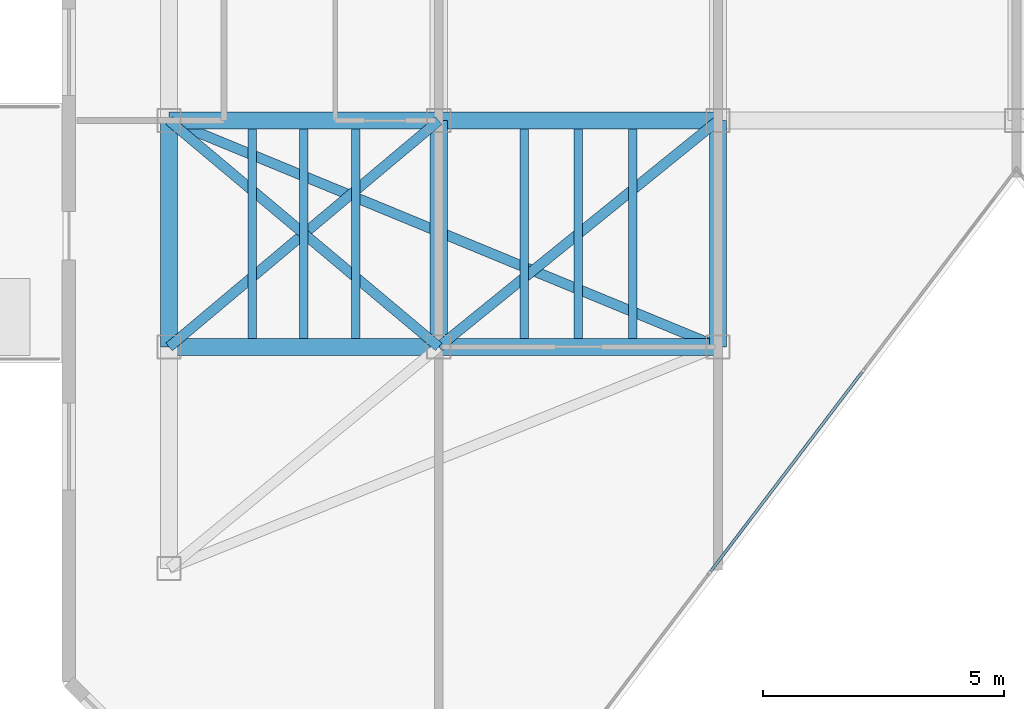
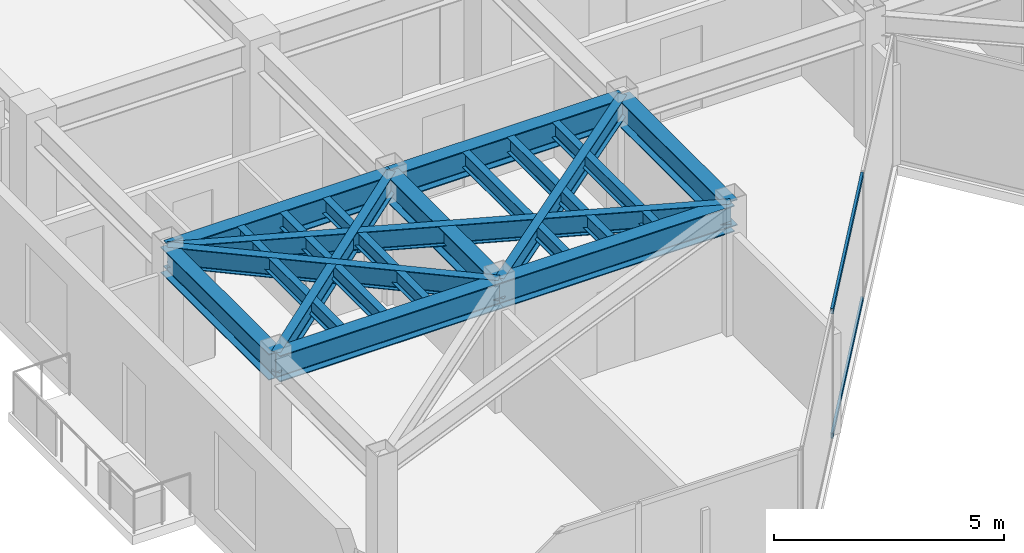
# One storey, part 5 of 17: 17 beams, 2 members, 1 element without a shape of its own.
"""IFC4 building model written with IfcOpenShell, lengths in metres."""

import ifcopenshell
import ifcopenshell.guid

model = None  # the IFC model being written
_history = None  # IfcOwnerHistory: only IFC2X3 demands one
_inside = {}  # id of a spatial element -> (the spatial element, [elements in it])
_under = {}  # id of a project, library or spatial element -> (it, [spatial elements below it])
_declared = {}  # id of a project -> (the project, [libraries it declares])
_typed = {}  # id of a type object -> (the type object, [elements of that type])
_made_of = {}  # id of a material, layer set ... -> (it, [elements and type objects made of it])


def new_model(schema):
    """Start an empty IFC model of exactly this schema.

    Asked for "IFC4X3", IfcOpenShell would pick the latest addendum, in which some entities
    have other attributes; the version numbers below select the first issue.
    IFC2X3 requires an IfcOwnerHistory on every rooted entity: one is made here for all.
    """
    global model, _history
    if schema == "IFC4X3":
        model = ifcopenshell.file(schema_version=(4, 3, 0, 0))
    else:
        model = ifcopenshell.file(schema=schema)
    _inside.clear()
    _under.clear()
    _declared.clear()
    _typed.clear()
    _made_of.clear()
    _history = None
    if model.schema == "IFC2X3":
        org = make("IfcOrganization", Name="unknown")
        user = make(
            "IfcPersonAndOrganization",
            ThePerson=make("IfcPerson", FamilyName="unknown"),
            TheOrganization=org,
        )
        app = make(
            "IfcApplication",
            ApplicationDeveloper=org,
            Version="unknown",
            ApplicationFullName="unknown",
            ApplicationIdentifier="unknown",
        )
        _history = make(
            "IfcOwnerHistory",
            OwningUser=user,
            OwningApplication=app,
            ChangeAction="ADDED",
            CreationDate=0,
        )
    return model


def make(cls, **values):
    """One entity of the class cls with the attributes given. An attribute that is None is left unset."""
    return model.create_entity(
        cls, **{name: value for name, value in values.items() if value is not None}
    )


def rooted(cls, **values):
    """An entity with a GlobalId (a new one), such as an element, a storey or a relation."""
    return make(cls, GlobalId=ifcopenshell.guid.new(), OwnerHistory=_history, **values)


def si_unit(unit_type, name, prefix=None):
    """IfcSIUnit, for example si_unit("LENGTHUNIT", "METRE", prefix="MILLI")."""
    return make("IfcSIUnit", UnitType=unit_type, Prefix=prefix, Name=name)


def assignment(units):
    """IfcUnitAssignment: the units of a project."""
    return None if units is None else make("IfcUnitAssignment", Units=units)


def point(xyz):
    """IfcCartesianPoint."""
    return None if xyz is None else make("IfcCartesianPoint", Coordinates=xyz)


def direction(xyz):
    """IfcDirection."""
    return None if xyz is None else make("IfcDirection", DirectionRatios=xyz)


def frame(location, z_axis=None, x_axis=None):
    """IfcAxis2Placement3D, a coordinate frame: its origin and axes. An axis left out is left unset."""
    return make(
        "IfcAxis2Placement3D",
        Location=point(location),
        Axis=direction(z_axis),
        RefDirection=direction(x_axis),
    )


def frame_2d(location, x_axis=None):
    """IfcAxis2Placement2D, a coordinate frame in the plane: its origin and x axis."""
    return make(
        "IfcAxis2Placement2D", Location=point(location), RefDirection=direction(x_axis)
    )


def origin():
    """The frame at (0, 0, 0) with its axes left unset."""
    return frame((0.0, 0.0, 0.0))


def origin_2d():
    """The frame at (0, 0) in the plane with its x axis left unset."""
    return frame_2d((0.0, 0.0))


def place(relative_to, where):
    """IfcLocalPlacement: puts the frame where relative to a parent placement (None: the world)."""
    return make(
        "IfcLocalPlacement", PlacementRelTo=relative_to, RelativePlacement=where
    )


def context(
    kind, dimensions, precision=None, world=None, true_north=None, identifier=None
):
    """IfcGeometricRepresentationContext, for example the 3D "Model" context."""
    return make(
        "IfcGeometricRepresentationContext",
        ContextIdentifier=identifier,
        ContextType=kind,
        CoordinateSpaceDimension=dimensions,
        Precision=precision,
        WorldCoordinateSystem=world,
        TrueNorth=true_north,
    )


def subcontext(parent, identifier, kind, view, scale=None):
    """IfcGeometricRepresentationSubContext, for example "Body" below "Model"."""
    return make(
        "IfcGeometricRepresentationSubContext",
        ContextIdentifier=identifier,
        ContextType=kind,
        ParentContext=parent,
        TargetScale=scale,
        TargetView=view,
    )


def project(units=None, contexts=None):
    """IfcProject with its units and contexts."""
    return rooted(
        "IfcProject",
        Name="project",
        RepresentationContexts=contexts,
        UnitsInContext=assignment(units),
    )


def spatial(cls, under=None, at=None, **own):
    """A site, building, storey or space (cls), placed at a placement, below another one or the project."""
    s = rooted(cls, ObjectPlacement=at, **own)
    if under is not None:
        _under.setdefault(under.id(), (under, []))[1].append(s)
    return s


def profile(cls, at=None, kind="AREA", **sizes):
    """A parametric profile (cls). Its sizes go by their IFC names, for example OverallWidth=200.0."""
    return make(cls, ProfileType=kind, Position=at, **sizes)


def hollow_rectangle(**sizes):
    """IfcRectangleHollowProfileDef."""
    return profile("IfcRectangleHollowProfileDef", **sizes)


def i_section(**sizes):
    """IfcIShapeProfileDef."""
    return profile("IfcIShapeProfileDef", **sizes)


def extrude(swept, where, along, depth):
    """IfcExtrudedAreaSolid: the profile swept, set in the frame where, extruded along a direction by depth."""
    return make(
        "IfcExtrudedAreaSolid",
        SweptArea=swept,
        Position=where,
        ExtrudedDirection=direction(along),
        Depth=depth,
    )


def shape(context_of_items, identifier, shape_type, items):
    """IfcShapeRepresentation: the items that make up one representation, for example the "Body"."""
    return make(
        "IfcShapeRepresentation",
        ContextOfItems=context_of_items,
        RepresentationIdentifier=identifier,
        RepresentationType=shape_type,
        Items=items,
    )


def material(Name=None, Category=None):
    """IfcMaterial."""
    return make("IfcMaterial", Name=Name, Category=Category)


def layer(
    of_material, thickness, ventilated=None, Name=None, Category=None, Priority=None
):
    """IfcMaterialLayer: one layer of a wall or slab, of a material (None: an air gap)."""
    return make(
        "IfcMaterialLayer",
        Material=of_material,
        LayerThickness=thickness,
        IsVentilated=ventilated,
        Name=Name,
        Category=Category,
        Priority=Priority,
    )


def layer_set(layers, Name=None):
    """IfcMaterialLayerSet."""
    return make("IfcMaterialLayerSet", MaterialLayers=layers, LayerSetName=Name)


def material_profile(
    of_material, cross_section, Name=None, Category=None, Priority=None
):
    """IfcMaterialProfile: a cross section and its material."""
    return make(
        "IfcMaterialProfile",
        Name=Name,
        Material=of_material,
        Profile=cross_section,
        Priority=Priority,
        Category=Category,
    )


def profile_set(profiles, Name=None, composite=None):
    """IfcMaterialProfileSet."""
    return make(
        "IfcMaterialProfileSet",
        Name=Name,
        MaterialProfiles=profiles,
        CompositeProfile=composite,
    )


def made_of(thing, what):
    """Note that an element or type object is made of a material, layer set ...; save() writes the relation."""
    if what is not None:
        _made_of.setdefault(what.id(), (what, []))[1].append(thing)
    return thing


def type_object(cls, material=None, **own):
    """A type object (cls), such as IfcWallType, which elements share."""
    return made_of(rooted(cls, **own), material)


def element(
    cls,
    number,
    at=None,
    inside=None,
    cuts=None,
    type_object=None,
    material=None,
    context=None,
    identifier="Body",
    shape_type=None,
    held_by="IfcProductDefinitionShape",
    body=None,
    shapes=None,
    **own,
):
    """One element of the class cls, such as IfcWall. Its Tag is "e" and its number.

    at: its placement. inside: the storey or other place that contains it. cuts: it is an
    opening in that element (IfcRelVoidsElement). A single representation is given by context,
    identifier, shape_type and body (its items); several are given by shapes. held_by: the class
    of the entity that holds the representations. save() writes the other relations.
    """
    e = rooted(cls, Tag="e%d" % number, ObjectPlacement=at, **own)
    if body is not None:
        shapes = [shape(context, identifier, shape_type, body)]
    if shapes is not None:
        e.Representation = make(held_by, Representations=shapes)
    if inside is not None:
        _inside.setdefault(inside.id(), (inside, []))[1].append(e)
    if cuts is not None:
        rooted(
            "IfcRelVoidsElement", RelatingBuildingElement=cuts, RelatedOpeningElement=e
        )
    if type_object is not None:
        _typed.setdefault(type_object.id(), (type_object, []))[1].append(e)
    return made_of(e, material)


def aggregate(whole, parts):
    """IfcRelAggregates: a whole, such as a stair, and the parts it consists of."""
    return rooted("IfcRelAggregates", RelatingObject=whole, RelatedObjects=parts)


def save(model, path):
    """Write the relations noted so far, then the file.

    IfcRelAggregates (storeys below a building ...), IfcRelContainedInSpatialStructure (elements
    in a storey), IfcRelDefinesByType, IfcRelAssociatesMaterial and IfcRelDeclares: one each for
    every whole, place, type object, material and project.
    """
    for whole, parts in _under.values():
        aggregate(whole, parts)
    for where, things in _inside.values():
        rooted(
            "IfcRelContainedInSpatialStructure",
            RelatedElements=things,
            RelatingStructure=where,
        )
    for kind, things in _typed.values():
        rooted("IfcRelDefinesByType", RelatedObjects=things, RelatingType=kind)
    for what, things in _made_of.values():
        rooted("IfcRelAssociatesMaterial", RelatedObjects=things, RelatingMaterial=what)
    for by, libraries in _declared.values():
        rooted("IfcRelDeclares", RelatingContext=by, RelatedDefinitions=libraries)
    model.write(path)


model = new_model("IFC4")

# Units and contexts
model_context = context("Model", 3, precision=1e-05, world=origin(), true_north=direction((0.0, 1.0)))
body_context = subcontext(model_context, "Body", "Model", "MODEL_VIEW")
ifc_project = project(units=[si_unit("LENGTHUNIT", "METRE"), si_unit("AREAUNIT", "SQUARE_METRE"), si_unit("VOLUMEUNIT", "CUBIC_METRE"), si_unit("PLANEANGLEUNIT", "RADIAN"), si_unit("MASSUNIT", "GRAM", prefix="KILO")], contexts=[model_context])

# Site, building, storey
site_placement = place(None, origin())
site = spatial("IfcSite", under=ifc_project, at=site_placement, CompositionType="ELEMENT")
building_placement = place(site_placement, origin())
building = spatial("IfcBuilding", under=site, at=building_placement, Name="Kravanh Interchange Tower", CompositionType="ELEMENT")
storey_placement = place(building_placement, frame((0.0, 0.0, 256.199951171875)))
storey = spatial("IfcBuildingStorey", under=building, at=storey_placement, Name="L62", CompositionType="ELEMENT", Elevation=256.199951171875)

# Curtain wall, members
ifc_material_1 = material(Name="Anodised Bronze Aluminium", Category="aluminium")
ifc_layer = layer(ifc_material_1, 0.179931640625)
ifc_layer_set = layer_set([ifc_layer], Name="Unitised Curtain Wall System CW-HTL Luxury Hotel")
curtain_wall_type = type_object("IfcCurtainWallType", Name="Unitised Curtain Wall System CW-HTL Luxury Hotel", PredefinedType="NOTDEFINED", material=ifc_layer_set)
curtain_wall_placement = place(storey_placement, origin())
curtain_wall = element("IfcCurtainWall", 1, at=curtain_wall_placement, inside=storey, type_object=curtain_wall_type, Name="L62 Unitised Curtain Wall CW-L62-04", PredefinedType="NOTDEFINED")
ifc_material_2 = material(Name="Anodised Bronze Aluminium", Category="aluminium")
ifc_material_profile_1 = material_profile(ifc_material_2, hollow_rectangle(XDim=0.06005859375, YDim=0.139892578125, WallThickness=0.00390625, at=origin_2d()), Name="ALU60X140X4")
ifc_profile_set_1 = profile_set([ifc_material_profile_1], Name="Anodised Bronze Aluminium")
member_type = type_object("IfcMemberType", Name="Curtain Wall Transom ALU60X140X4 Bronze", PredefinedType="USERDEFINED", material=ifc_profile_set_1)
member_1_placement = place(storey_placement, frame((41.595458984375, 26.28173828125, 0.030029296875), z_axis=(-0.605104668693, -0.796145928788, 0.0), x_axis=(0.796145928788, -0.605104668693, 0.0)))
member_1 = element("IfcMember", 2, at=member_1_placement, type_object=member_type, Name="CW-HTL transom 2.1", ObjectType="TRANSOM", PredefinedType="USERDEFINED", context=body_context, shape_type="SweptSolid", body=[
    extrude(hollow_rectangle(XDim=0.06005859375, YDim=0.139892578125, WallThickness=0.00390625, at=origin_2d()), origin(), (0.0, 0.0, 1.0), 5.206298828125),
])
member_2_placement = place(storey_placement, frame((41.595458984375, 26.28173828125, 3.330078125), z_axis=(-0.605104668693, -0.796145928788, 0.0), x_axis=(0.796145928788, -0.605104668693, 0.0)))
member_2 = element("IfcMember", 3, at=member_2_placement, type_object=member_type, Name="CW-HTL transom 2.2", ObjectType="TRANSOM", PredefinedType="USERDEFINED", context=body_context, shape_type="SweptSolid", body=[
    extrude(hollow_rectangle(XDim=0.06005859375, YDim=0.139892578125, WallThickness=0.00390625, at=origin_2d()), origin(), (0.0, 0.0, 1.0), 5.206298828125),
])
aggregate(curtain_wall, [member_1, member_2])

# Beams
ifc_material_3 = material(Name="Structural Steel S355", Category="steel")
ifc_material_profile_2 = material_profile(ifc_material_3, i_section(OverallWidth=0.35498046875, OverallDepth=0.696044921875, WebThickness=0.015380859375, FlangeThickness=0.02490234375, FilletRadius=0.02392578125, at=origin_2d()), Name="W27X146")
ifc_profile_set_2 = profile_set([ifc_material_profile_2], Name="Structural Steel S355")
beam_type_1 = type_object("IfcBeamType", Name="Floor Beam W27X146 Structural Steel S355", PredefinedType="BEAM", material=ifc_profile_set_2)
beam_1_placement = place(storey_placement, frame((38.60009765625, 31.5, 3.011962890625), z_axis=(0.0, -1.0, 0.0), x_axis=(1.0, 0.0, 0.0)))
element("IfcBeam", 4, at=beam_1_placement, inside=storey, type_object=beam_type_1, Name="L62 Primary Floor Girder 17", PredefinedType="BEAM", context=body_context, shape_type="SweptSolid", body=[
    extrude(i_section(OverallWidth=0.35498046875, OverallDepth=0.696044921875, WebThickness=0.015380859375, FlangeThickness=0.02490234375, FilletRadius=0.02392578125, at=origin_2d()), origin(), (0.0, 0.0, 1.0), 4.699951171875),
])
beam_2_placement = place(storey_placement, frame((38.60009765625, 31.5, 3.011962890625), z_axis=(-1.0, 0.0, 0.0), x_axis=(0.0, -1.0, 0.0)))
element("IfcBeam", 5, at=beam_2_placement, inside=storey, type_object=beam_type_1, Name="L62 Primary Floor Girder 18", PredefinedType="BEAM", context=body_context, shape_type="SweptSolid", body=[
    extrude(i_section(OverallWidth=0.35498046875, OverallDepth=0.696044921875, WebThickness=0.015380859375, FlangeThickness=0.02490234375, FilletRadius=0.02392578125, at=origin_2d()), origin(), (0.0, 0.0, 1.0), 5.800048828125),
])
beam_3_placement = place(storey_placement, frame((32.800048828125, 31.5, 3.011962890625), z_axis=(0.0, -1.0, 0.0), x_axis=(1.0, 0.0, 0.0)))
element("IfcBeam", 6, at=beam_3_placement, inside=storey, type_object=beam_type_1, Name="L62 Primary Floor Girder 21", PredefinedType="BEAM", context=body_context, shape_type="SweptSolid", body=[
    extrude(i_section(OverallWidth=0.35498046875, OverallDepth=0.696044921875, WebThickness=0.015380859375, FlangeThickness=0.02490234375, FilletRadius=0.02392578125, at=origin_2d()), origin(), (0.0, 0.0, 1.0), 4.699951171875),
])
beam_4_placement = place(storey_placement, frame((32.800048828125, 31.5, 3.011962890625), z_axis=(-1.0, 0.0, 0.0), x_axis=(0.0, -1.0, 0.0)))
element("IfcBeam", 7, at=beam_4_placement, inside=storey, type_object=beam_type_1, Name="L62 Primary Floor Girder 22", PredefinedType="BEAM", context=body_context, shape_type="SweptSolid", body=[
    extrude(i_section(OverallWidth=0.35498046875, OverallDepth=0.696044921875, WebThickness=0.015380859375, FlangeThickness=0.02490234375, FilletRadius=0.02392578125, at=origin_2d()), origin(), (0.0, 0.0, 1.0), 5.60009765625),
])
beam_5_placement = place(storey_placement, frame((27.199951171875, 31.5, 3.011962890625), z_axis=(0.0, -1.0, 0.0), x_axis=(1.0, 0.0, 0.0)))
element("IfcBeam", 8, at=beam_5_placement, inside=storey, type_object=beam_type_1, Name="L62 Primary Floor Girder 25", PredefinedType="BEAM", context=body_context, shape_type="SweptSolid", body=[
    extrude(i_section(OverallWidth=0.35498046875, OverallDepth=0.696044921875, WebThickness=0.015380859375, FlangeThickness=0.02490234375, FilletRadius=0.02392578125, at=origin_2d()), origin(), (0.0, 0.0, 1.0), 4.699951171875),
])
beam_6_placement = place(storey_placement, frame((38.60009765625, 26.800048828125, 3.011962890625), z_axis=(-1.0, 0.0, 0.0), x_axis=(0.0, -1.0, 0.0)))
element("IfcBeam", 9, at=beam_6_placement, inside=storey, type_object=beam_type_1, Name="L62 Primary Floor Girder 29", PredefinedType="BEAM", context=body_context, shape_type="SweptSolid", body=[
    extrude(i_section(OverallWidth=0.35498046875, OverallDepth=0.696044921875, WebThickness=0.015380859375, FlangeThickness=0.02490234375, FilletRadius=0.02392578125, at=origin_2d()), origin(), (0.0, 0.0, 1.0), 5.800048828125),
])
beam_7_placement = place(storey_placement, frame((27.199951171875, 26.800048828125, 3.011962890625), z_axis=(1.0, 0.0, 0.0), x_axis=(0.0, 1.0, 0.0)))
element("IfcBeam", 10, at=beam_7_placement, inside=storey, type_object=beam_type_1, Name="L62 Primary Floor Girder 42", PredefinedType="BEAM", context=body_context, shape_type="SweptSolid", body=[
    extrude(i_section(OverallWidth=0.35498046875, OverallDepth=0.696044921875, WebThickness=0.015380859375, FlangeThickness=0.02490234375, FilletRadius=0.02392578125, at=origin_2d()), origin(), (0.0, 0.0, 1.0), 5.60009765625),
])
ifc_material_4 = material(Name="Structural Steel S355", Category="steel")
ifc_material_profile_3 = material_profile(ifc_material_4, i_section(OverallWidth=0.177978515625, OverallDepth=0.406005859375, WebThickness=0.0078125, FlangeThickness=0.0126953125, FilletRadius=0.01611328125, at=origin_2d()), Name="W16X40")
ifc_profile_set_3 = profile_set([ifc_material_profile_3], Name="Structural Steel S355")
beam_type_2 = type_object("IfcBeamType", Name="Floor Joist W16X40 Structural Steel S355", PredefinedType="JOIST", material=ifc_profile_set_3)
for number, where, z_axis, x_axis, name in (
    (11, (28.925048828125, 26.972412109375, 3.156982421875), (0.0, 1.0, 0.0), (-1.0, 0.0, 0.0), "L62 Secondary Floor Joist 4"),
    (12, (30.0, 26.972412109375, 3.156982421875), (0.0, 1.0, 0.0), (-1.0, 0.0, 0.0), "L62 Secondary Floor Joist 5"),
    (13, (31.074951171875, 26.972412109375, 3.156982421875), (0.0, 1.0, 0.0), (-1.0, 0.0, 0.0), "L62 Secondary Floor Joist 6"),
    (14, (34.574951171875, 26.972412109375, 3.156982421875), (0.0, 1.0, 0.0), (-1.0, 0.0, 0.0), "L62 Secondary Floor Joist 7"),
    (15, (35.699951171875, 26.972412109375, 3.156982421875), (0.0, 1.0, 0.0), (-1.0, 0.0, 0.0), "L62 Secondary Floor Joist 8"),
    (16, (36.824951171875, 26.972412109375, 3.156982421875), (0.0, 1.0, 0.0), (-1.0, 0.0, 0.0), "L62 Secondary Floor Joist 9"),
):
    element("IfcBeam", number, at=place(storey_placement, frame(where, z_axis=z_axis, x_axis=x_axis)), inside=storey, type_object=beam_type_2, Name=name, PredefinedType="JOIST", context=body_context, shape_type="SweptSolid", body=[
        extrude(i_section(OverallWidth=0.177978515625, OverallDepth=0.406005859375, WebThickness=0.0078125, FlangeThickness=0.0126953125, FilletRadius=0.01611328125, at=origin_2d()), origin(), (0.0, 0.0, 1.0), 4.35498046875),
    ])
ifc_material_5 = material(Name="Structural Steel S355", Category="steel")
ifc_material_profile_4 = material_profile(ifc_material_5, i_section(OverallWidth=0.2099609375, OverallDepth=0.537109375, WebThickness=0.010986328125, FlangeThickness=0.017333984375, FilletRadius=0.02001953125, at=origin_2d()), Name="W21X68")
ifc_profile_set_4 = profile_set([ifc_material_profile_4], Name="Structural Steel S355")
beam_type_3 = type_object("IfcBeamType", Name="Floor Spandrel W21X68 Structural Steel S355", PredefinedType="SPANDREL", material=ifc_profile_set_4)
beam_8_placement = place(storey_placement, frame((38.60009765625, 31.5, 3.091552734375), z_axis=(-0.776938619557, -0.629576350764, 0.0), x_axis=(0.629576350764, -0.776938619557, 0.0)))
element("IfcBeam", 17, at=beam_8_placement, inside=storey, type_object=beam_type_3, Name="L62 Perimeter Spandrel 20", PredefinedType="SPANDREL", context=body_context, shape_type="SweptSolid", body=[
    extrude(i_section(OverallWidth=0.2099609375, OverallDepth=0.537109375, WebThickness=0.010986328125, FlangeThickness=0.017333984375, FilletRadius=0.02001953125, at=origin_2d()), origin(), (0.0, 0.0, 1.0), 7.46533203125),
])
for number, where, z_axis, x_axis, name in (
    (18, (32.800048828125, 31.5, 3.091552734375), (-0.765983062929, -0.642860752657, 0.0), (0.642860752657, -0.765983062929, 0.0), "L62 Perimeter Spandrel 24"),
    (19, (27.199951171875, 31.5, 3.091552734375), (0.765983062929, -0.642860752657, 0.0), (0.642860752657, 0.765983062929, 0.0), "L62 Perimeter Spandrel 27"),
):
    element("IfcBeam", number, at=place(storey_placement, frame(where, z_axis=z_axis, x_axis=x_axis)), inside=storey, type_object=beam_type_3, Name=name, PredefinedType="SPANDREL", context=body_context, shape_type="SweptSolid", body=[
        extrude(i_section(OverallWidth=0.2099609375, OverallDepth=0.537109375, WebThickness=0.010986328125, FlangeThickness=0.017333984375, FilletRadius=0.02001953125, at=origin_2d()), origin(), (0.0, 0.0, 1.0), 7.31103515625),
    ])
beam_9_placement = place(storey_placement, frame((27.199951171875, 31.5, 3.091552734375), z_axis=(0.924513176562, -0.381150083778, 0.0), x_axis=(0.381150083778, 0.924513176562, 0.0)))
element("IfcBeam", 20, at=beam_9_placement, inside=storey, type_object=beam_type_3, Name="L62 Perimeter Spandrel 28", PredefinedType="SPANDREL", context=body_context, shape_type="SweptSolid", body=[
    extrude(i_section(OverallWidth=0.2099609375, OverallDepth=0.537109375, WebThickness=0.010986328125, FlangeThickness=0.017333984375, FilletRadius=0.02001953125, at=origin_2d()), origin(), (0.0, 0.0, 1.0), 12.3310546875),
])

save(model, "model.ifc")
